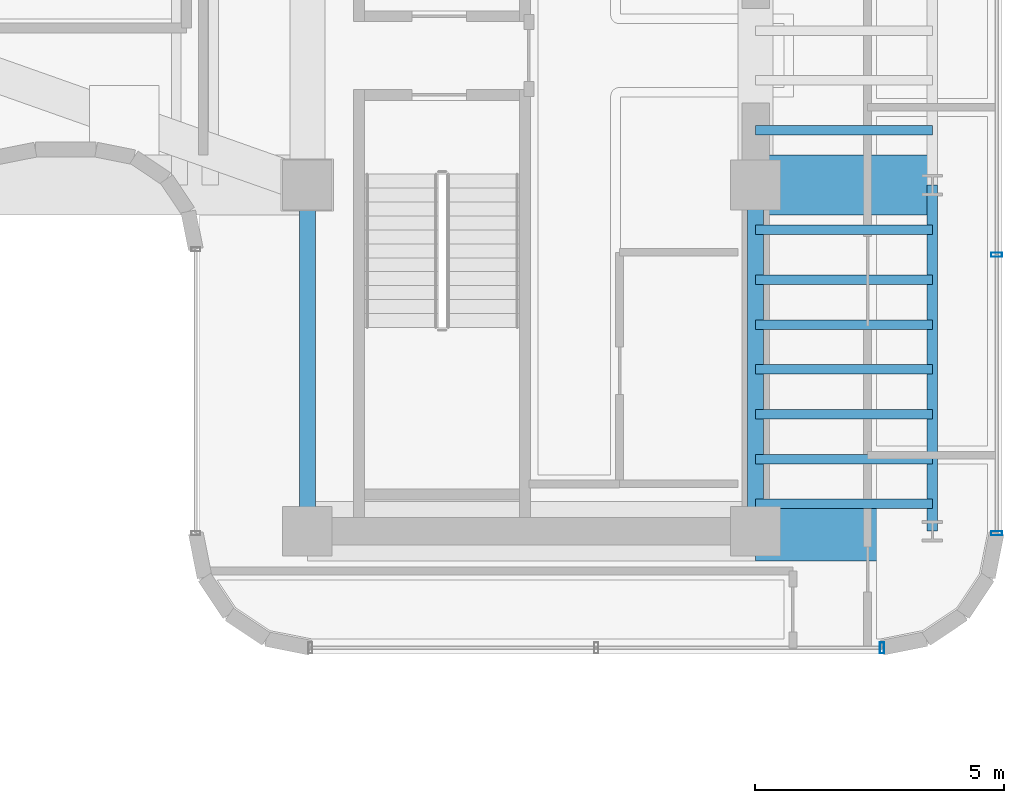
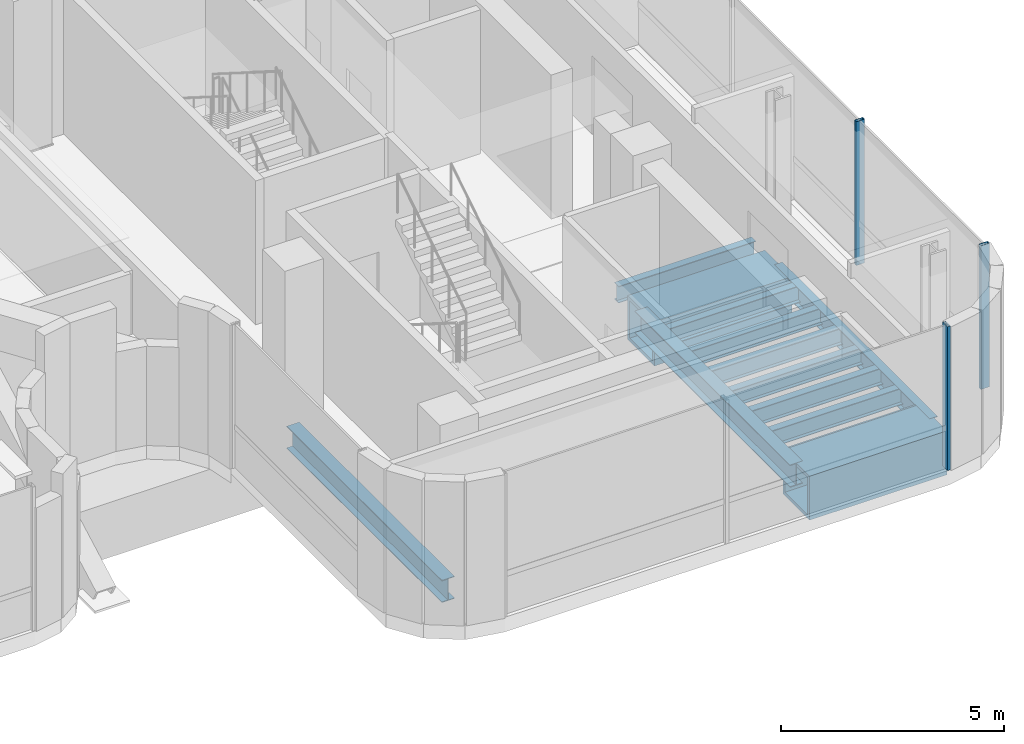
# One storey, part 12 of 37: 13 beams, 3 members, 2 elements without a shape of their own.
"""IFC4 building model written with IfcOpenShell, lengths in metres."""

from ifc_helpers import new_model, si_unit, direction, frame, origin, origin_2d, place, context, subcontext, project, spatial, hollow_rectangle, i_section, extrude, source, transform, mapped, material, material_profile, profile_set, type_object, element, aggregate, save


model = new_model("IFC4")

# Units and contexts
model_context = context("Model", 3, precision=1e-05, world=origin(), true_north=direction((0.0, 1.0)))
body_context = subcontext(model_context, "Body", "Model", "MODEL_VIEW")
ifc_project = project(units=[si_unit("LENGTHUNIT", "METRE"), si_unit("AREAUNIT", "SQUARE_METRE"), si_unit("VOLUMEUNIT", "CUBIC_METRE"), si_unit("PLANEANGLEUNIT", "RADIAN"), si_unit("MASSUNIT", "GRAM", prefix="KILO")], contexts=[model_context])

# Site, building, storey
site_placement = place(None, origin())
site = spatial("IfcSite", under=ifc_project, at=site_placement, CompositionType="ELEMENT")
building_placement = place(site_placement, origin())
building = spatial("IfcBuilding", under=site, at=building_placement, Name="Valdorenza Pilgrim Sanctuary Tower", CompositionType="ELEMENT")
storey_placement = place(building_placement, frame((0.0, 0.0, 172.300048828125)))
storey = spatial("IfcBuildingStorey", under=building, at=storey_placement, Name="L44", CompositionType="ELEMENT", Elevation=172.300048828125)

# Beams
ifc_material_1 = material(Name="Steel ASTM A992 Grade 50", Category="steel")
ifc_material_profile_1 = material_profile(ifc_material_1, i_section(OverallWidth=0.323974609375, OverallDepth=0.611083984375, WebThickness=0.0126953125, FlangeThickness=0.01904296875, at=origin_2d()), Name="W24X104")
ifc_profile_set_1 = profile_set([ifc_material_profile_1], Name="Steel ASTM A992 Grade 50")
beam_type_1 = type_object("IfcBeamType", Name="STR-BM-GRD-W24B", PredefinedType="BEAM", material=ifc_profile_set_1)
shared_shape_1 = source(origin(), body_context, "Body", "SweptSolid", [
    extrude(i_section(OverallWidth=0.323974609375, OverallDepth=0.611083984375, WebThickness=0.0126953125, FlangeThickness=0.01904296875, at=origin_2d()), origin(), (0.0, 0.0, 1.0), 6.949951171875),
])
for number, where, z_axis, x_axis, name in (
    (1, (15.85009765625, -9.550048828125, -0.70556640625), (0.0, 1.0, 0.0), (-1.0, 0.0, 0.0), "L44 Core Tie Girder CB-W-S1M0"),
    (2, (24.85009765625, -9.550048828125, -0.70556640625), (0.0, 1.0, 0.0), (-1.0, 0.0, 0.0), "L44 Core Tie Girder CB-E-S1M0"),
):
    element("IfcBeam", number, at=place(storey_placement, frame(where, z_axis=z_axis, x_axis=x_axis)), inside=storey, type_object=beam_type_1, Name=name, PredefinedType="BEAM", context=body_context, shape_type="MappedRepresentation", body=[
        mapped(shared_shape_1, transform((0.0, 0.0, 0.0), x_axis=(1.0, 0.0, 0.0), y_axis=(0.0, 1.0, 0.0), z_axis=(0.0, 0.0, 1.0), scale=1.0)),
    ])
ifc_material_2 = material(Name="Steel ASTM A572 Grade 42", Category="steel")
ifc_material_profile_2 = material_profile(ifc_material_2, hollow_rectangle(XDim=1.199951171875, YDim=1.199951171875, WallThickness=0.090087890625, at=origin_2d()), Name="BOX 1200x1200x90")
ifc_profile_set_2 = profile_set([ifc_material_profile_2], Name="Steel ASTM A572 Grade 42")
beam_type_2 = type_object("IfcBeamType", Name="STR-BM-TRF-1200", PredefinedType="BEAM", material=ifc_profile_set_2)
shared_shape_2 = source(origin(), body_context, "Body", "SweptSolid", [
    extrude(hollow_rectangle(XDim=1.199951171875, YDim=1.199951171875, WallThickness=0.090087890625, at=origin_2d()), origin(), (0.0, 0.0, 1.0), 3.5498046875),
])
for number, where, z_axis, x_axis, name in (
    (3, (24.85009765625, -9.550048828125, -1.0), (1.0, 0.0, 0.0), (0.0, 1.0, 0.0), "L44 Transfer Girder WB-XE-S1"),
    (4, (24.85009765625, -2.60009765625, -1.0), (1.0, 0.0, 0.0), (0.0, 1.0, 0.0), "L44 Transfer Girder WB-XE-M0"),
):
    element("IfcBeam", number, at=place(storey_placement, frame(where, z_axis=z_axis, x_axis=x_axis)), inside=storey, type_object=beam_type_2, Name=name, PredefinedType="BEAM", context=body_context, shape_type="MappedRepresentation", body=[
        mapped(shared_shape_2, transform((0.0, 0.0, 0.0), x_axis=(1.0, 0.0, 0.0), y_axis=(0.0, 1.0, 0.0), z_axis=(0.0, 0.0, 1.0), scale=1.0)),
    ])
ifc_material_profile_3 = material_profile(ifc_material_1, i_section(OverallWidth=0.19091796875, OverallDepth=0.45703125, WebThickness=0.009033203125, FlangeThickness=0.014404296875, at=origin_2d()), Name="W18X50")
ifc_profile_set_3 = profile_set([ifc_material_profile_3], Name="Steel ASTM A992 Grade 50")
beam_type_3 = type_object("IfcBeamType", Name="STR-BM-JST-W18B", PredefinedType="JOIST", material=ifc_profile_set_3)
shared_shape_3 = source(origin(), body_context, "Body", "SweptSolid", [
    extrude(i_section(OverallWidth=0.19091796875, OverallDepth=0.45703125, WebThickness=0.009033203125, FlangeThickness=0.014404296875, at=origin_2d()), origin(), (0.0, 0.0, 1.0), 3.5498046875),
])
for number, where, z_axis, x_axis, name in (
    (5, (24.85009765625, -9.0, -0.628662109375), (1.0, 0.0, 0.0), (0.0, 1.0, 0.0), "L44 Composite Floor Joist JST-WB-1"),
    (6, (24.85009765625, -8.10009765625, -0.628662109375), (1.0, 0.0, 0.0), (0.0, 1.0, 0.0), "L44 Composite Floor Joist JST-WB-2"),
    (7, (24.85009765625, -7.199951171875, -0.628662109375), (1.0, 0.0, 0.0), (0.0, 1.0, 0.0), "L44 Composite Floor Joist JST-WB-3"),
    (8, (24.85009765625, -6.300048828125, -0.628662109375), (1.0, 0.0, 0.0), (0.0, 1.0, 0.0), "L44 Composite Floor Joist JST-WB-4"),
    (9, (24.85009765625, -5.39990234375, -0.628662109375), (1.0, 0.0, 0.0), (0.0, 1.0, 0.0), "L44 Composite Floor Joist JST-WB-5"),
    (10, (24.85009765625, -4.5, -0.628662109375), (1.0, 0.0, 0.0), (0.0, 1.0, 0.0), "L44 Composite Floor Joist JST-WB-6"),
    (11, (24.85009765625, -3.5, -0.628662109375), (1.0, 0.0, 0.0), (0.0, 1.0, 0.0), "L44 Composite Floor Joist JST-WB-7"),
    (12, (24.85009765625, -1.5, -0.628662109375), (1.0, 0.0, 0.0), (0.0, 1.0, 0.0), "L44 Composite Floor Joist JST-WB-8"),
):
    element("IfcBeam", number, at=place(storey_placement, frame(where, z_axis=z_axis, x_axis=x_axis)), inside=storey, type_object=beam_type_3, Name=name, PredefinedType="JOIST", context=body_context, shape_type="MappedRepresentation", body=[
        mapped(shared_shape_3, transform((0.0, 0.0, 0.0), x_axis=(1.0, 0.0, 0.0), y_axis=(0.0, 1.0, 0.0), z_axis=(0.0, 0.0, 1.0), scale=1.0)),
    ])
ifc_material_profile_4 = material_profile(ifc_material_1, i_section(OverallWidth=0.2109375, OverallDepth=0.5390625, WebThickness=0.01171875, FlangeThickness=0.018798828125, at=origin_2d()), Name="W21X73")
ifc_profile_set_4 = profile_set([ifc_material_profile_4], Name="Steel ASTM A992 Grade 50")
beam_type_4 = type_object("IfcBeamType", Name="STR-BM-SPN-W21B", PredefinedType="SPANDREL", material=ifc_profile_set_4)
shared_shape_4 = source(origin(), body_context, "Body", "SweptSolid", [
    extrude(i_section(OverallWidth=0.2109375, OverallDepth=0.5390625, WebThickness=0.01171875, FlangeThickness=0.018798828125, at=origin_2d()), origin(), (0.0, 0.0, 1.0), 6.949951171875),
])
beam_placement = place(storey_placement, frame((28.39990234375, -9.550048828125, -0.66943359375), z_axis=(0.0, 1.0, 0.0), x_axis=(-1.0, 0.0, 0.0)))
element("IfcBeam", 13, at=beam_placement, inside=storey, type_object=beam_type_4, Name="L44 Spandrel Beam WB-E-S1M0", PredefinedType="SPANDREL", context=body_context, shape_type="MappedRepresentation", body=[
    mapped(shared_shape_4, transform((0.0, 0.0, 0.0), x_axis=(1.0, 0.0, 0.0), y_axis=(0.0, 1.0, 0.0), z_axis=(0.0, 0.0, 1.0), scale=1.0)),
])

# Curtain wall, members
ifc_material_3 = material(Name="Curtain-wall IGU glazing", Category="glass")
curtain_wall_type = type_object("IfcCurtainWallType", Name="CW-SYS-03", PredefinedType="NOTDEFINED", material=ifc_material_3)
curtain_wall_1_placement = place(storey_placement, origin())
curtain_wall_1 = element("IfcCurtainWall", 14, at=curtain_wall_1_placement, inside=storey, type_object=curtain_wall_type, Name="L44 Curtain Wall CW-L44-1-37", PredefinedType="NOTDEFINED")
ifc_material_4 = material(Name="Anodised aluminium AW-6060", Category="aluminium")
ifc_material_profile_5 = material_profile(ifc_material_4, hollow_rectangle(XDim=0.0849609375, YDim=0.219970703125, WallThickness=0.0048828125, at=origin_2d()), Name="ALU-M 220x85x5")
ifc_profile_set_5 = profile_set([ifc_material_profile_5], Name="Anodised aluminium AW-6060")
member_type = type_object("IfcMemberType", Name="CW-MUL-03", PredefinedType="MULLION", material=ifc_profile_set_5)
shared_shape_5 = source(origin(), body_context, "Body", "SweptSolid", [
    extrude(hollow_rectangle(XDim=0.0849609375, YDim=0.219970703125, WallThickness=0.0048828125, at=origin_2d()), origin(), (0.0, 0.0, 1.0), 3.929931640625),
])
member_1_placement = place(storey_placement, frame((29.68994140625, -3.999755859375, 0.0), z_axis=(0.0, 0.0, 1.0), x_axis=(0.0, -1.0, 0.0)))
member_1 = element("IfcMember", 15, at=member_1_placement, type_object=member_type, Name="CW-L44-1-37 Mullion 4", PredefinedType="MULLION", context=body_context, shape_type="MappedRepresentation", body=[
    mapped(shared_shape_5, transform((0.0, 0.0, 0.0), x_axis=(1.0, 0.0, 0.0), y_axis=(0.0, 1.0, 0.0), z_axis=(0.0, 0.0, 1.0), scale=1.0)),
])
member_2_placement = place(storey_placement, frame((29.68994140625, -9.589111328125, 0.0), z_axis=(0.0, 0.0, 1.0), x_axis=(0.0, -1.0, 0.0)))
member_2 = element("IfcMember", 16, at=member_2_placement, type_object=member_type, Name="CW-L44-1-37 Mullion 5", PredefinedType="MULLION", context=body_context, shape_type="MappedRepresentation", body=[
    mapped(shared_shape_5, transform((0.0, 0.0, 0.0), x_axis=(1.0, 0.0, 0.0), y_axis=(0.0, 1.0, 0.0), z_axis=(0.0, 0.0, 1.0), scale=1.0)),
])
aggregate(curtain_wall_1, [member_1, member_2])

# Curtain wall, member
curtain_wall_2_placement = place(storey_placement, origin())
curtain_wall_2 = element("IfcCurtainWall", 17, at=curtain_wall_2_placement, inside=storey, type_object=curtain_wall_type, Name="L44 Curtain Wall CW-L44-1-42", PredefinedType="NOTDEFINED")
member_3_placement = place(storey_placement, frame((27.38916015625, -11.889892578125, 0.0), z_axis=(0.0, 0.0, 1.0), x_axis=(-1.0, 0.0, 0.0)))
member_3 = element("IfcMember", 18, at=member_3_placement, type_object=member_type, Name="CW-L44-1-42 Mullion 1", PredefinedType="MULLION", context=body_context, shape_type="MappedRepresentation", body=[
    mapped(shared_shape_5, transform((0.0, 0.0, 0.0), x_axis=(1.0, 0.0, 0.0), y_axis=(0.0, 1.0, 0.0), z_axis=(0.0, 0.0, 1.0), scale=1.0)),
])
aggregate(curtain_wall_2, [member_3])

save(model, "model.ifc")
